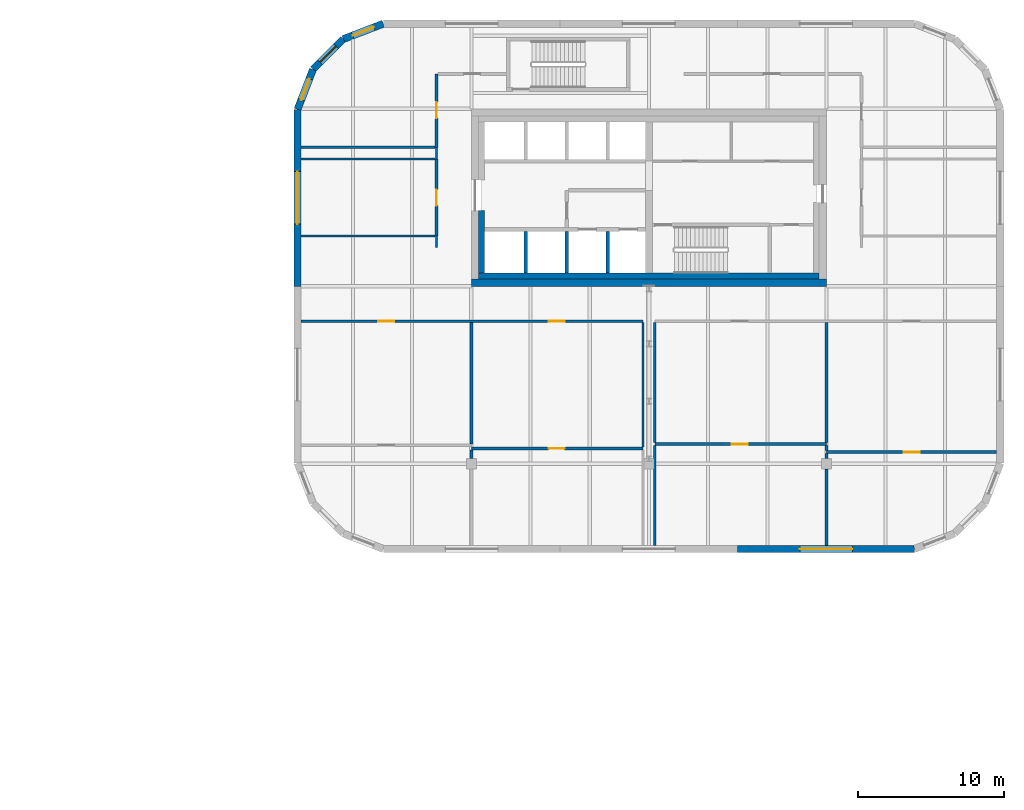
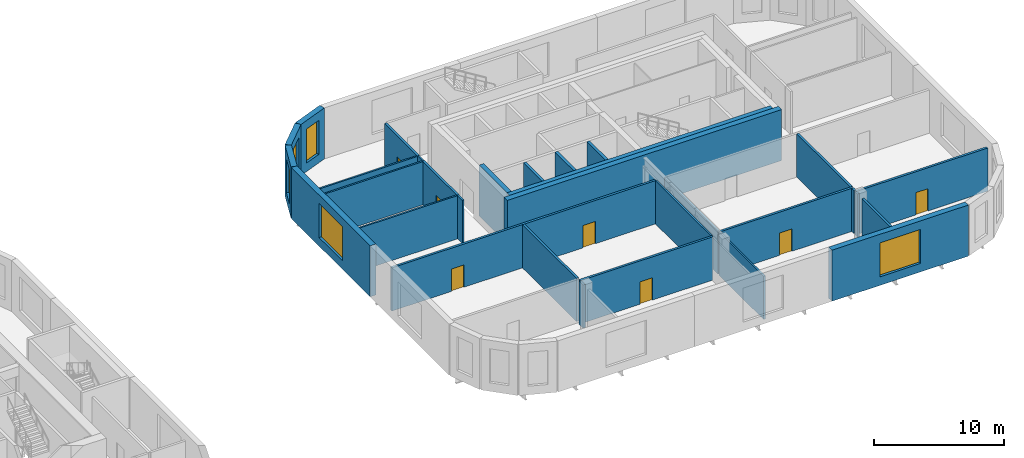
# One storey, part 14 of 21: 31 walls, 7 doors, 5 windows, 12 openings.
"""IFC4 building model written with IfcOpenShell, lengths in metres."""

from ifc_helpers import new_model, si_unit, direction, frame, frame_2d, origin, place, context, subcontext, project, spatial, polyline, rectangle, outline, extrude, faceted_brep, source, transform, mapped, material, layer, layer_set, type_object, element, fill, save


model = new_model("IFC4")

# Units and contexts
model_context = context("Model", 3, precision=1e-05, world=origin(), true_north=direction((0.0, 1.0)))
body_context = subcontext(model_context, "Body", "Model", "MODEL_VIEW")
ifc_project = project(units=[si_unit("LENGTHUNIT", "METRE"), si_unit("AREAUNIT", "SQUARE_METRE"), si_unit("VOLUMEUNIT", "CUBIC_METRE"), si_unit("PLANEANGLEUNIT", "RADIAN"), si_unit("MASSUNIT", "GRAM", prefix="KILO")], contexts=[model_context])

# Site, building, storey
site_placement = place(None, origin())
site = spatial("IfcSite", under=ifc_project, at=site_placement, CompositionType="ELEMENT")
building_placement = place(site_placement, origin())
building = spatial("IfcBuilding", under=site, at=building_placement, Name="Tessera Gate Towers", CompositionType="ELEMENT")
storey_placement = place(building_placement, frame((0.0, 0.0, 63.800048828125)))
storey = spatial("IfcBuildingStorey", under=building, at=storey_placement, Name="L15", CompositionType="ELEMENT", Elevation=63.800048828125)

# Walls
ifc_material_1 = material(Name="Gypsum board on steel studs, mineral wool", Category="steel")
ifc_layer_1 = layer(ifc_material_1, 0.14990234375)
ifc_layer_set_1 = layer_set([ifc_layer_1], Name="CHASE WALL 150")
wall_type_1 = type_object("IfcWallType", Name="CHASE WALL 150", PredefinedType="PARTITIONING", material=ifc_layer_set_1)
wall_1_placement = place(storey_placement, frame((110.199951171875, 18.800048828125, 0.0), z_axis=(0.0, 0.0, 1.0), x_axis=(0.0, 1.0, 0.0)))
element("IfcWall", 1, at=wall_1_placement, inside=storey, type_object=wall_type_1, Name="T2-L15-PW-003", PredefinedType="PARTITIONING", context=body_context, shape_type="SweptSolid", body=[
    extrude(rectangle(XDim=6.848876953125, YDim=0.14990234375, at=frame_2d((3.42431640625, 0.0))), origin(), (0.0, 0.0, 1.0), 4.06689453125),
])
wall_2_placement = place(storey_placement, frame((109.39990234375, 25.551025390625, 0.0), z_axis=(0.0, 0.0, 1.0), x_axis=(0.0, 1.0, 0.0)))
element("IfcWall", 2, at=wall_2_placement, inside=storey, type_object=wall_type_1, Name="T2-L15-PW-010", PredefinedType="PARTITIONING", context=body_context, shape_type="SweptSolid", body=[
    extrude(rectangle(XDim=8.548095703125, YDim=0.14990234375, at=frame_2d((4.27392578125, 0.0))), origin(), (0.0, 0.0, 1.0), 4.06689453125),
])
wall_3_placement = place(storey_placement, frame((110.199951171875, 25.85107421875, 0.0), z_axis=(0.0, 0.0, 1.0), x_axis=(0.0, 1.0, 0.0)))
element("IfcWall", 3, at=wall_3_placement, inside=storey, type_object=wall_type_1, Name="T2-L15-PW-014", PredefinedType="PARTITIONING", context=body_context, shape_type="SweptSolid", body=[
    extrude(rectangle(XDim=8.248046875, YDim=0.14990234375, at=frame_2d((4.1240234375, 0.0))), origin(), (0.0, 0.0, 1.0), 4.06689453125),
])
wall_4_placement = place(storey_placement, frame((95.199951171875, 39.25, 0.0), z_axis=(0.0, 0.0, 1.0), x_axis=(0.0, 1.0, 0.0)))
element("IfcWall", 4, at=wall_4_placement, inside=storey, type_object=wall_type_1, Name="T2-L15-PW-018", PredefinedType="PARTITIONING", context=body_context, shape_type="SweptSolid", body=[
    extrude(rectangle(XDim=0.799072265625, YDim=0.14990234375, at=frame_2d((0.3994140625, 0.0))), origin(), (0.0, 0.0, 1.0), 4.06689453125),
])
for number, where, z_axis, x_axis, name in (
    (5, (85.89990234375, 40.050048828125, 0.0), (0.0, 0.0, 1.0), (1.0, 0.0, 0.0), "T2-L15-PW-020"),
    (6, (85.89990234375, 45.35009765625, 0.0), (0.0, 0.0, 1.0), (1.0, 0.0, 0.0), "T2-L15-PW-024"),
):
    element("IfcWall", number, at=place(storey_placement, frame(where, z_axis=z_axis, x_axis=x_axis)), inside=storey, type_object=wall_type_1, Name=name, PredefinedType="PARTITIONING", context=body_context, shape_type="SweptSolid", body=[
        extrude(rectangle(XDim=9.19921875, YDim=0.14990234375, at=frame_2d((4.599609375, 0.0))), origin(), (0.0, 0.0, 1.0), 4.06689453125),
    ])
wall_5_placement = place(storey_placement, frame((95.199951171875, 45.35107421875, 0.0), z_axis=(0.0, 0.0, 1.0), x_axis=(0.0, 1.0, 0.0)))
element("IfcWall", 7, at=wall_5_placement, inside=storey, type_object=wall_type_1, Name="T2-L15-PW-025", PredefinedType="PARTITIONING", context=body_context, shape_type="SweptSolid", body=[
    extrude(rectangle(XDim=0.7978515625, YDim=0.14990234375, at=frame_2d((0.39892578125, 0.0))), origin(), (0.0, 0.0, 1.0), 4.06689453125),
])
wall_6_placement = place(storey_placement, frame((85.89990234375, 46.14990234375, 0.0), z_axis=(0.0, 0.0, 1.0), x_axis=(1.0, 0.0, 0.0)))
element("IfcWall", 8, at=wall_6_placement, inside=storey, type_object=wall_type_1, Name="T2-L15-PW-028", PredefinedType="PARTITIONING", context=body_context, shape_type="SweptSolid", body=[
    extrude(rectangle(XDim=9.19921875, YDim=0.14990234375, at=frame_2d((4.599609375, 0.0))), origin(), (0.0, 0.0, 1.0), 4.06689453125),
])
ifc_material_2 = material(Name="Concrete C40/50", Category="concrete")
ifc_layer_2 = layer(ifc_material_2, 0.25)
ifc_layer_set_2 = layer_set([ifc_layer_2], Name="CORE ENCLOSURE WALL 250")
wall_type_2 = type_object("IfcWallType", Name="CORE ENCLOSURE WALL 250", PredefinedType="SOLIDWALL", material=ifc_layer_set_2)
for number, where, z_axis, x_axis, name in (
    (9, (104.14990234375, 37.5, 0.0), (0.0, 0.0, 1.0), (0.0, 1.0, 0.0), "L15 shaft and stair enclosure wall"),
    (10, (101.324951171875, 37.5, 0.0), (0.0, 0.0, 1.0), (0.0, 1.0, 0.0), "L15 shaft and stair enclosure wall"),
    (11, (106.97509765625, 37.5, 0.0), (0.0, 0.0, 1.0), (0.0, 1.0, 0.0), "L15 shaft and stair enclosure wall"),
):
    element("IfcWall", number, at=place(storey_placement, frame(where, z_axis=z_axis, x_axis=x_axis)), inside=storey, type_object=wall_type_2, Name=name, PredefinedType="SOLIDWALL", context=body_context, shape_type="SweptSolid", body=[
        extrude(rectangle(XDim=2.875, YDim=0.25, at=frame_2d((1.4375, 0.0))), origin(), (0.0, 0.0, 1.0), 4.800048828125),
    ])
ifc_material_3 = material(Name="Concrete C50/60", Category="concrete")
ifc_layer_3 = layer(ifc_material_3, 0.5)
ifc_layer_set_3 = layer_set([ifc_layer_3], Name="CORE SHEAR WALL 500 C50/60")
wall_type_3 = type_object("IfcWallType", Name="CORE SHEAR WALL 500 C50/60", PredefinedType="SHEAR", material=ifc_layer_set_3)
wall_7_placement = place(storey_placement, frame((122.0, 36.85009765625, 0.0), z_axis=(0.0, 0.0, 1.0), x_axis=(-1.0, 0.0, 0.0)))
element("IfcWall", 12, at=wall_7_placement, inside=storey, type_object=wall_type_3, Name="Core wall S L15", PredefinedType="SHEAR", context=body_context, shape_type="SweptSolid", body=[
    extrude(rectangle(XDim=24.39990234375, YDim=0.5, at=frame_2d((12.199951171875, 0.0))), origin(), (0.0, 0.0, 1.0), 4.800048828125),
])
ifc_material_4 = material(Name="Concrete C50/60", Category="concrete")
ifc_layer_4 = layer(ifc_material_4, 0.39990234375)
ifc_layer_set_4 = layer_set([ifc_layer_4], Name="CORE WALL THICKENING 400")
wall_type_4 = type_object("IfcWallType", Name="CORE WALL THICKENING 400", PredefinedType="SOLIDWALL", material=ifc_layer_set_4)
wall_8_placement = place(storey_placement, frame((98.10009765625, 37.300048828125, 0.0), z_axis=(0.0, 0.0, 1.0), x_axis=(1.0, 0.0, 0.0)))
element("IfcWall", 13, at=wall_8_placement, inside=storey, type_object=wall_type_4, Name="Core wall thickening S L15", PredefinedType="SOLIDWALL", context=body_context, shape_type="SweptSolid", body=[
    extrude(rectangle(XDim=23.39990234375, YDim=0.39990234375, at=frame_2d((11.699951171875, 0.0))), origin(), (0.0, 0.0, 1.0), 4.800048828125),
])
wall_9_placement = place(storey_placement, frame((98.300048828125, 37.5, 0.0), z_axis=(0.0, 0.0, 1.0), x_axis=(0.0, 1.0, 0.0)))
element("IfcWall", 14, at=wall_9_placement, inside=storey, type_object=wall_type_4, Name="Core wall thickening W L15", PredefinedType="SOLIDWALL", context=body_context, shape_type="SweptSolid", body=[
    extrude(rectangle(XDim=4.300048828125, YDim=0.39990234375, at=frame_2d((2.14990234375, 0.0))), origin(), (0.0, 0.0, 1.0), 4.800048828125),
])
ifc_material_5 = material(Name="Concrete masonry unit", Category="masonry")
ifc_layer_5 = layer(ifc_material_5, 0.199951171875)
ifc_layer_set_5 = layer_set([ifc_layer_5], Name="PLANT WALL 200")
wall_type_5 = type_object("IfcWallType", Name="PLANT WALL 200", PredefinedType="PARTITIONING", material=ifc_layer_set_5)
wall_10_placement = place(storey_placement, frame((122.0, 18.800048828125, 0.0), z_axis=(0.0, 0.0, 1.0), x_axis=(0.0, 1.0, 0.0)))
element("IfcWall", 15, at=wall_10_placement, inside=storey, type_object=wall_type_5, Name="T2-L15-PW-004", PredefinedType="PARTITIONING", context=body_context, shape_type="SweptSolid", body=[
    extrude(rectangle(XDim=5.2490234375, YDim=0.199951171875, at=frame_2d((2.62451171875, 0.0))), origin(), (0.0, 0.0, 1.0), 4.06689453125),
])
wall_11_placement = place(storey_placement, frame((97.60009765625, 24.7509765625, 0.0), z_axis=(0.0, 0.0, 1.0), x_axis=(0.0, 1.0, 0.0)))
element("IfcWall", 16, at=wall_11_placement, inside=storey, type_object=wall_type_5, Name="T2-L15-PW-005", PredefinedType="PARTITIONING", context=body_context, shape_type="SweptSolid", body=[
    extrude(rectangle(XDim=0.59814453125, YDim=0.199951171875, at=frame_2d((0.299072265625, 0.0))), origin(), (0.0, 0.0, 1.0), 4.06689453125),
])
wall_12_placement = place(storey_placement, frame((122.0, 24.7509765625, 0.0), z_axis=(0.0, 0.0, 1.0), x_axis=(0.0, 1.0, 0.0)))
element("IfcWall", 17, at=wall_12_placement, inside=storey, type_object=wall_type_5, Name="T2-L15-PW-006", PredefinedType="PARTITIONING", context=body_context, shape_type="SweptSolid", body=[
    extrude(rectangle(XDim=0.34814453125, YDim=0.199951171875, at=frame_2d((0.174072265625, 0.0))), origin(), (0.0, 0.0, 1.0), 4.06689453125),
])

# Wall, opening, door
wall_13_placement = place(storey_placement, frame((133.699951171875, 25.199951171875, 0.0), z_axis=(0.0, 0.0, 1.0), x_axis=(-1.0, 0.0, 0.0)))
wall_13 = element("IfcWall", 18, at=wall_13_placement, inside=storey, type_object=wall_type_5, Name="T2-L15-PW-007", PredefinedType="PARTITIONING", context=body_context, shape_type="SweptSolid", body=[
    extrude(rectangle(XDim=11.699951171875, YDim=0.199951171875, at=frame_2d((5.85009765625, 0.0))), origin(), (0.0, 0.0, 1.0), 4.06689453125),
])
shared_shape_1 = source(origin(), body_context, "Body", "SweptSolid", [
    extrude(rectangle(XDim=1.10009765625, YDim=2.10009765625, at=frame_2d((0.550048828125, 1.050048828125))), frame((0.0, 0.10986328125, 0.0), z_axis=(0.0, -1.0, 0.0), x_axis=(1.0, 0.0, 0.0)), (0.0, 0.0, 1.0), 0.219970703125),
])
opening_1_placement = place(wall_13_placement, frame((5.300048828125, 0.0, 0.0)))
opening_1 = element("IfcOpeningElement", 19, at=opening_1_placement, cuts=wall_13, Name="Opening D5110FD90-B20-09", PredefinedType="OPENING", context=body_context, shape_type="MappedRepresentation", body=[
    mapped(shared_shape_1, transform((0.0, 0.0, 0.0), scale=1.0)),
])
ifc_material_6 = material(Name="Timber door leaf in steel frame", Category="steel")
door_type = type_object("IfcDoorType", Name="PLANT DOOR 1100 FD90", OperationType="NOTDEFINED", PredefinedType="DOOR", material=ifc_material_6)
shared_shape_2 = source(origin(), body_context, "Body", "SweptSolid", [
    extrude(rectangle(XDim=1.10009765625, YDim=2.10009765625, at=frame_2d((0.550048828125, 1.050048828125))), frame((0.0, 0.02490234375, 0.0), z_axis=(0.0, -1.0, 0.0), x_axis=(1.0, 0.0, 0.0)), (0.0, 0.0, 1.0), 0.050048828125),
])
door_1_placement = place(opening_1_placement, origin())
door_1 = element("IfcDoor", 20, at=door_1_placement, inside=storey, type_object=door_type, Name="T2-L15-PD-009", OperationType="SINGLE_SWING_RIGHT", OverallHeight=2.10009765625, OverallWidth=1.10009765625, PredefinedType="DOOR", context=body_context, shape_type="MappedRepresentation", body=[
    mapped(shared_shape_2, transform((0.0, 0.0, 0.0), scale=1.0)),
])
fill(opening_1, door_1)

# Wall
wall_14_placement = place(storey_placement, frame((122.0, 25.301025390625, 0.0), z_axis=(0.0, 0.0, 1.0), x_axis=(0.0, 1.0, 0.0)))
element("IfcWall", 21, at=wall_14_placement, inside=storey, type_object=wall_type_5, Name="T2-L15-PW-008", PredefinedType="PARTITIONING", context=body_context, shape_type="SweptSolid", body=[
    extrude(rectangle(XDim=0.347900390625, YDim=0.199951171875, at=frame_2d((0.173828125, 0.0))), origin(), (0.0, 0.0, 1.0), 4.06689453125),
])

# Wall, opening, door
wall_15_placement = place(storey_placement, frame((109.39990234375, 25.449951171875, 0.0), z_axis=(0.0, 0.0, 1.0), x_axis=(-1.0, 0.0, 0.0)))
wall_15 = element("IfcWall", 22, at=wall_15_placement, inside=storey, type_object=wall_type_5, Name="T2-L15-PW-009", PredefinedType="PARTITIONING", context=body_context, shape_type="SweptSolid", body=[
    extrude(rectangle(XDim=11.7998046875, YDim=0.199951171875, at=frame_2d((5.89990234375, 0.0))), origin(), (0.0, 0.0, 1.0), 4.06689453125),
])
opening_2_placement = place(wall_15_placement, frame((5.39990234375, 0.0, 0.0)))
opening_2 = element("IfcOpeningElement", 23, at=opening_2_placement, cuts=wall_15, Name="Opening D5110FD90-B20-13", PredefinedType="OPENING", context=body_context, shape_type="MappedRepresentation", body=[
    mapped(shared_shape_1, transform((0.0, 0.0, 0.0), scale=1.0)),
])
door_2_placement = place(opening_2_placement, origin())
door_2 = element("IfcDoor", 24, at=door_2_placement, inside=storey, type_object=door_type, Name="T2-L15-PD-013", OperationType="SINGLE_SWING_RIGHT", OverallHeight=2.10009765625, OverallWidth=1.10009765625, PredefinedType="DOOR", context=body_context, shape_type="MappedRepresentation", body=[
    mapped(shared_shape_2, transform((0.0, 0.0, 0.0), scale=1.0)),
])
fill(opening_2, door_2)

wall_16_placement = place(storey_placement, frame((122.0, 25.75, 0.0), z_axis=(0.0, 0.0, 1.0), x_axis=(-1.0, 0.0, 0.0)))
wall_16 = element("IfcWall", 25, at=wall_16_placement, inside=storey, type_object=wall_type_5, Name="T2-L15-PW-012", PredefinedType="PARTITIONING", context=body_context, shape_type="SweptSolid", body=[
    extrude(rectangle(XDim=11.800048828125, YDim=0.199951171875, at=frame_2d((5.89990234375, 0.0))), origin(), (0.0, 0.0, 1.0), 4.06689453125),
])
opening_3_placement = place(wall_16_placement, frame((5.39990234375, 0.0, 0.0)))
opening_3 = element("IfcOpeningElement", 26, at=opening_3_placement, cuts=wall_16, Name="Opening D5110FD90-B20-11", PredefinedType="OPENING", context=body_context, shape_type="MappedRepresentation", body=[
    mapped(shared_shape_1, transform((0.0, 0.0, 0.0), scale=1.0)),
])
door_3_placement = place(opening_3_placement, origin())
door_3 = element("IfcDoor", 27, at=door_3_placement, inside=storey, type_object=door_type, Name="T2-L15-PD-011", OperationType="SINGLE_SWING_RIGHT", OverallHeight=2.10009765625, OverallWidth=1.10009765625, PredefinedType="DOOR", context=body_context, shape_type="MappedRepresentation", body=[
    mapped(shared_shape_2, transform((0.0, 0.0, 0.0), scale=1.0)),
])
fill(opening_3, door_3)

# Walls
wall_17_placement = place(storey_placement, frame((97.60009765625, 25.77587890625, 0.0), z_axis=(0.0, 0.0, 1.0), x_axis=(0.0, 1.0, 0.0)))
element("IfcWall", 28, at=wall_17_placement, inside=storey, type_object=wall_type_5, Name="T2-L15-PW-013", PredefinedType="PARTITIONING", context=body_context, shape_type="SweptSolid", body=[
    extrude(rectangle(XDim=8.3232421875, YDim=0.199951171875, at=frame_2d((4.16162109375, 0.0))), origin(), (0.0, 0.0, 1.0), 4.06689453125),
])
wall_18_placement = place(storey_placement, frame((122.0, 25.85107421875, 0.0), z_axis=(0.0, 0.0, 1.0), x_axis=(0.0, 1.0, 0.0)))
element("IfcWall", 29, at=wall_18_placement, inside=storey, type_object=wall_type_5, Name="T2-L15-PW-015", PredefinedType="PARTITIONING", context=body_context, shape_type="SweptSolid", body=[
    extrude(rectangle(XDim=8.248046875, YDim=0.199951171875, at=frame_2d((4.1240234375, 0.0))), origin(), (0.0, 0.0, 1.0), 4.06689453125),
])

# Wall, openings, doors
wall_19_placement = place(storey_placement, frame((109.39990234375, 34.199951171875, 0.0), z_axis=(0.0, 0.0, 1.0), x_axis=(-1.0, 0.0, 0.0)))
wall_19 = element("IfcWall", 30, at=wall_19_placement, inside=storey, type_object=wall_type_5, Name="T2-L15-PW-016", PredefinedType="PARTITIONING", context=body_context, shape_type="SweptSolid", body=[
    extrude(rectangle(XDim=23.5, YDim=0.199951171875, at=frame_2d((11.75, 0.0))), origin(), (0.0, 0.0, 1.0), 4.06689453125),
])
opening_4_placement = place(wall_19_placement, frame((17.10009765625, 0.0, 0.0)))
opening_4 = element("IfcOpeningElement", 31, at=opening_4_placement, cuts=wall_19, Name="Opening D5110FD90-B20-06", PredefinedType="OPENING", context=body_context, shape_type="MappedRepresentation", body=[
    mapped(shared_shape_1, transform((0.0, 0.0, 0.0), scale=1.0)),
])
opening_5_placement = place(wall_19_placement, frame((5.39990234375, 0.0, 0.0)))
opening_5 = element("IfcOpeningElement", 32, at=opening_5_placement, cuts=wall_19, Name="Opening D5110FD90-B20-12", PredefinedType="OPENING", context=body_context, shape_type="MappedRepresentation", body=[
    mapped(shared_shape_1, transform((0.0, 0.0, 0.0), scale=1.0)),
])
door_4_placement = place(opening_4_placement, origin())
door_4 = element("IfcDoor", 33, at=door_4_placement, inside=storey, type_object=door_type, Name="T2-L15-PD-006", OperationType="SINGLE_SWING_RIGHT", OverallHeight=2.10009765625, OverallWidth=1.10009765625, PredefinedType="DOOR", context=body_context, shape_type="MappedRepresentation", body=[
    mapped(shared_shape_2, transform((0.0, 0.0, 0.0), scale=1.0)),
])
fill(opening_4, door_4)
door_5_placement = place(opening_5_placement, origin())
door_5 = element("IfcDoor", 34, at=door_5_placement, inside=storey, type_object=door_type, Name="T2-L15-PD-012", OperationType="SINGLE_SWING_RIGHT", OverallHeight=2.10009765625, OverallWidth=1.10009765625, PredefinedType="DOOR", context=body_context, shape_type="MappedRepresentation", body=[
    mapped(shared_shape_2, transform((0.0, 0.0, 0.0), scale=1.0)),
])
fill(opening_5, door_5)

# Wall, opening, door
wall_20_placement = place(storey_placement, frame((95.199951171875, 40.050048828125, 0.0), z_axis=(0.0, 0.0, 1.0), x_axis=(0.0, 1.0, 0.0)))
wall_20 = element("IfcWall", 35, at=wall_20_placement, inside=storey, type_object=wall_type_5, Name="T2-L15-PW-021", PredefinedType="PARTITIONING", context=body_context, shape_type="SweptSolid", body=[
    extrude(rectangle(XDim=5.300048828125, YDim=0.199951171875, at=frame_2d((2.64990234375, 0.0))), origin(), (0.0, 0.0, 1.0), 4.06689453125),
])
opening_6_placement = place(wall_20_placement, frame((2.10009765625, 0.0, 0.0)))
opening_6 = element("IfcOpeningElement", 36, at=opening_6_placement, cuts=wall_20, Name="Opening D5110FD90-B20-04", PredefinedType="OPENING", context=body_context, shape_type="MappedRepresentation", body=[
    mapped(shared_shape_1, transform((0.0, 0.0, 0.0), scale=1.0)),
])
door_6_placement = place(opening_6_placement, origin())
door_6 = element("IfcDoor", 37, at=door_6_placement, inside=storey, type_object=door_type, Name="T2-L15-PD-004", OperationType="SINGLE_SWING_LEFT", OverallHeight=2.10009765625, OverallWidth=1.10009765625, PredefinedType="DOOR", context=body_context, shape_type="MappedRepresentation", body=[
    mapped(shared_shape_2, transform((0.0, 0.0, 0.0), scale=1.0)),
])
fill(opening_6, door_6)

wall_21_placement = place(storey_placement, frame((95.199951171875, 46.14990234375, 0.0), z_axis=(0.0, 0.0, 1.0), x_axis=(0.0, 1.0, 0.0)))
wall_21 = element("IfcWall", 38, at=wall_21_placement, inside=storey, type_object=wall_type_5, Name="T2-L15-PW-029", PredefinedType="PARTITIONING", context=body_context, shape_type="SweptSolid", body=[
    extrude(rectangle(XDim=5.050048828125, YDim=0.199951171875, at=frame_2d((2.52490234375, 0.0))), origin(), (0.0, 0.0, 1.0), 4.06689453125),
])
opening_7_placement = place(wall_21_placement, frame((2.0, 0.0, 0.0)))
opening_7 = element("IfcOpeningElement", 39, at=opening_7_placement, cuts=wall_21, Name="Opening D5110FD90-B20-03", PredefinedType="OPENING", context=body_context, shape_type="MappedRepresentation", body=[
    mapped(shared_shape_1, transform((0.0, 0.0, 0.0), scale=1.0)),
])
door_7_placement = place(opening_7_placement, origin())
door_7 = element("IfcDoor", 40, at=door_7_placement, inside=storey, type_object=door_type, Name="T2-L15-PD-003", OperationType="SINGLE_SWING_LEFT", OverallHeight=2.10009765625, OverallWidth=1.10009765625, PredefinedType="DOOR", context=body_context, shape_type="MappedRepresentation", body=[
    mapped(shared_shape_2, transform((0.0, 0.0, 0.0), scale=1.0)),
])
fill(opening_7, door_7)

# Wall, opening, window
ifc_material_7 = material(Name="Precast concrete C60/75 white", Category="concrete")
ifc_layer_6 = layer(ifc_material_7, 0.5)
ifc_layer_set_6 = layer_set([ifc_layer_6], Name="RB1 ring band panel")
wall_type_6 = type_object("IfcWallType", Name="RB1 ring band panel", PredefinedType="SOLIDWALL", material=ifc_layer_set_6)
shared_shape_3 = source(origin(), body_context, "Body", "Brep", [
    faceted_brep([(0.0, -0.25, 0.0), (12.153564453125, -0.25, 0.0), (12.153564453125, -0.25, 4.800048828125), (0.0, -0.25, 4.800048828125), (0.046630859375, 0.25, 4.800048828125), (12.153564453125, 0.25, 4.800048828125), (12.153564453125, 0.25, 0.0), (0.046630859375, 0.25, 0.0), (0.0, 0.0, 0.0), (0.0, 0.0, 4.800048828125)], [[[0, 1, 2, 3]], [[4, 5, 6, 7]], [[7, 6, 1, 0, 8]], [[5, 4, 9, 3, 2]], [[8, 0, 3, 9]], [[7, 8, 9, 4]], [[1, 6, 5, 2]]]),
])
wall_22_placement = place(storey_placement, frame((85.64990234375, 48.75341796875, 0.0), z_axis=(0.0, 0.0, 1.0), x_axis=(0.0, -1.0, 0.0)))
wall_22 = element("IfcWall", 41, at=wall_22_placement, inside=storey, type_object=wall_type_6, Name="Ring band panel T2 RB1-0018", PredefinedType="SOLIDWALL", context=body_context, shape_type="MappedRepresentation", body=[
    mapped(shared_shape_3, transform((0.0, 0.0, 0.0), scale=1.0)),
])
shared_shape_4 = source(origin(), body_context, "Body", "SweptSolid", [
    extrude(outline(polyline([(4.276611328125, 0.800048828125), (7.876708984375, 0.800048828125), (7.876708984375, 4.0), (4.276611328125, 4.0), (4.276611328125, 0.800048828125)])), frame((0.0, 0.260009765625, 0.0), z_axis=(0.0, -1.0, 0.0), x_axis=(1.0, 0.0, 0.0)), (0.0, 0.0, 1.0), 0.52001953125),
])
opening_8_placement = place(wall_22_placement, origin())
opening_8 = element("IfcOpeningElement", 42, at=opening_8_placement, cuts=wall_22, Name="Opening T2-WN-LV1-0018", PredefinedType="OPENING", context=body_context, shape_type="MappedRepresentation", body=[
    mapped(shared_shape_4, transform((0.0, 0.0, 0.0), scale=1.0)),
])
ifc_material_8 = material(Name="Aluminium louvre", Category="aluminium")
ifc_layer_7 = layer(ifc_material_8, 0.06005859375)
ifc_layer_set_7 = layer_set([ifc_layer_7], Name="LV1 louvre")
window_type = type_object("IfcWindowType", Name="LV1 louvre", PartitioningType="USERDEFINED", PredefinedType="WINDOW", material=ifc_layer_set_7)
shared_shape_5 = source(origin(), body_context, "Body", "SweptSolid", [
    extrude(outline(polyline([(4.276611328125, 0.800048828125), (7.876708984375, 0.800048828125), (7.876708984375, 4.0), (4.276611328125, 4.0), (4.276611328125, 0.800048828125)])), frame((0.0, 0.030029296875, 0.0), z_axis=(0.0, -1.0, 0.0), x_axis=(1.0, 0.0, 0.0)), (0.0, 0.0, 1.0), 0.06005859375),
])
window_1_placement = place(opening_8_placement, origin())
window_1 = element("IfcWindow", 43, at=window_1_placement, inside=storey, type_object=window_type, Name="Louvre T2 WN-LV1-0018", OverallHeight=3.199951171875, OverallWidth=3.60009765625, PartitioningType="USERDEFINED", PredefinedType="WINDOW", context=body_context, shape_type="MappedRepresentation", body=[
    mapped(shared_shape_5, transform((0.0, 0.0, 0.0), scale=1.0)),
])
fill(opening_8, window_1)

shared_shape_6 = source(origin(), body_context, "Body", "Brep", [
    faceted_brep([(0.0, -0.25, 0.0), (12.153564453125, -0.25, 0.0), (12.153564453125, -0.25, 4.800048828125), (0.0, -0.25, 4.800048828125), (0.0, 0.25, 4.800048828125), (12.10693359375, 0.25, 4.800048828125), (12.10693359375, 0.25, 0.0), (0.0, 0.25, 0.0), (12.153564453125, -0.00048828125, 0.0), (12.153564453125, -0.00048828125, 4.800048828125)], [[[0, 1, 2, 3]], [[4, 5, 6, 7]], [[7, 6, 8, 1, 0]], [[9, 2, 1, 8]], [[5, 4, 3, 2, 9]], [[4, 7, 0, 3]], [[8, 6, 5, 9]]]),
])
wall_23_placement = place(storey_placement, frame((115.89990234375, 18.550048828125, 0.0), z_axis=(0.0, 0.0, 1.0), x_axis=(1.0, 0.0, 0.0)))
wall_23 = element("IfcWall", 44, at=wall_23_placement, inside=storey, type_object=wall_type_6, Name="Ring band panel T2 RB1-0003", PredefinedType="SOLIDWALL", context=body_context, shape_type="MappedRepresentation", body=[
    mapped(shared_shape_6, transform((0.0, 0.0, 0.0), scale=1.0)),
])
opening_9_placement = place(wall_23_placement, origin())
opening_9 = element("IfcOpeningElement", 45, at=opening_9_placement, cuts=wall_23, Name="Opening T2-WN-LV1-0003", PredefinedType="OPENING", context=body_context, shape_type="MappedRepresentation", body=[
    mapped(shared_shape_4, transform((0.0, 0.0, 0.0), scale=1.0)),
])
window_2_placement = place(opening_9_placement, origin())
window_2 = element("IfcWindow", 46, at=window_2_placement, inside=storey, type_object=window_type, Name="Louvre T2 WN-LV1-0003", OverallHeight=3.199951171875, OverallWidth=3.60009765625, PartitioningType="USERDEFINED", PredefinedType="WINDOW", context=body_context, shape_type="MappedRepresentation", body=[
    mapped(shared_shape_5, transform((0.0, 0.0, 0.0), scale=1.0)),
])
fill(opening_9, window_2)

shared_shape_7 = source(origin(), body_context, "Body", "Brep", [
    faceted_brep([(0.0, -0.25, 0.0), (2.944091796875, -0.25, 0.0), (2.944091796875, -0.25, 4.800048828125), (0.0, -0.25, 4.800048828125), (0.052978515625, 0.25, 4.800048828125), (2.89111328125, 0.25, 4.800048828125), (2.89111328125, 0.25, 0.0), (0.052978515625, 0.25, 0.0), (2.944091796875, 0.000244140625, 0.0), (0.0, 0.0, 0.0), (2.944091796875, 0.000244140625, 4.800048828125), (0.0, 0.0, 4.800048828125)], [[[0, 1, 2, 3]], [[4, 5, 6, 7]], [[7, 6, 8, 1, 0, 9]], [[10, 2, 1, 8]], [[5, 4, 11, 3, 2, 10]], [[9, 0, 3, 11]], [[7, 9, 11, 4]], [[8, 6, 5, 10]]]),
])
wall_24_placement = place(storey_placement, frame((88.793701171875, 53.588134765625, 0.0), z_axis=(0.0, 0.0, 1.0), x_axis=(-0.707106781187, -0.707106781187, 0.0)))
wall_24 = element("IfcWall", 47, at=wall_24_placement, inside=storey, type_object=wall_type_6, Name="Ring band panel T2 RB1-0016", PredefinedType="SOLIDWALL", context=body_context, shape_type="MappedRepresentation", body=[
    mapped(shared_shape_7, transform((0.0, 0.0, 0.0), scale=1.0)),
])
shared_shape_8 = source(origin(), body_context, "Body", "SweptSolid", [
    extrude(outline(polyline([(0.699951171875, 0.800048828125), (2.244140625, 0.800048828125), (2.244140625, 4.0), (0.699951171875, 4.0), (0.699951171875, 0.800048828125)])), frame((0.0, 0.260009765625, 0.0), z_axis=(0.0, -1.0, 0.0), x_axis=(1.0, 0.0, 0.0)), (0.0, 0.0, 1.0), 0.52001953125),
])
opening_10_placement = place(wall_24_placement, origin())
opening_10 = element("IfcOpeningElement", 48, at=opening_10_placement, cuts=wall_24, Name="Opening T2-WN-LV1-0016", PredefinedType="OPENING", context=body_context, shape_type="MappedRepresentation", body=[
    mapped(shared_shape_8, transform((0.0, 0.0, 0.0), scale=1.0)),
])
shared_shape_9 = source(origin(), body_context, "Body", "SweptSolid", [
    extrude(outline(polyline([(0.699951171875, 0.800048828125), (2.244140625, 0.800048828125), (2.244140625, 4.0), (0.699951171875, 4.0), (0.699951171875, 0.800048828125)])), frame((0.0, 0.030029296875, 0.0), z_axis=(0.0, -1.0, 0.0), x_axis=(1.0, 0.0, 0.0)), (0.0, 0.0, 1.0), 0.06005859375),
])
window_3_placement = place(opening_10_placement, origin())
window_3 = element("IfcWindow", 49, at=window_3_placement, inside=storey, type_object=window_type, Name="Louvre T2 WN-LV1-0016", OverallHeight=3.199951171875, OverallWidth=1.544189453125, PartitioningType="USERDEFINED", PredefinedType="WINDOW", context=body_context, shape_type="MappedRepresentation", body=[
    mapped(shared_shape_9, transform((0.0, 0.0, 0.0), scale=1.0)),
])
fill(opening_10, window_3)

shared_shape_10 = source(origin(), body_context, "Body", "Brep", [
    faceted_brep([(0.0, -0.25, 0.0), (2.950439453125, -0.25, 0.0), (2.950439453125, -0.25, 4.800048828125), (0.0, -0.25, 4.800048828125), (0.052978515625, 0.25, 4.800048828125), (2.904052734375, 0.25, 4.800048828125), (2.904052734375, 0.25, 0.0), (0.052978515625, 0.25, 0.0), (2.950439453125, 0.00048828125, 0.0), (0.0, 0.0, 0.0), (2.950439453125, 0.00048828125, 4.800048828125), (0.0, 0.0, 4.800048828125)], [[[0, 1, 2, 3]], [[4, 5, 6, 7]], [[7, 6, 8, 1, 0, 9]], [[10, 2, 1, 8]], [[5, 4, 11, 3, 2, 10]], [[9, 0, 3, 11]], [[7, 9, 11, 4]], [[8, 6, 5, 10]]]),
])
wall_25_placement = place(storey_placement, frame((86.7119140625, 51.50634765625, 0.0), z_axis=(0.0, 0.0, 1.0), x_axis=(-0.359849431015, -0.933010389544, 0.0)))
wall_25 = element("IfcWall", 50, at=wall_25_placement, inside=storey, type_object=wall_type_6, Name="Ring band panel T2 RB1-0017", PredefinedType="SOLIDWALL", context=body_context, shape_type="MappedRepresentation", body=[
    mapped(shared_shape_10, transform((0.0, 0.0, 0.0), scale=1.0)),
])
shared_shape_11 = source(origin(), body_context, "Body", "SweptSolid", [
    extrude(outline(polyline([(0.699951171875, 0.800048828125), (2.25048828125, 0.800048828125), (2.25048828125, 4.0), (0.699951171875, 4.0), (0.699951171875, 0.800048828125)])), frame((0.0, 0.260009765625, 0.0), z_axis=(0.0, -1.0, 0.0), x_axis=(1.0, 0.0, 0.0)), (0.0, 0.0, 1.0), 0.52001953125),
])
opening_11_placement = place(wall_25_placement, origin())
opening_11 = element("IfcOpeningElement", 51, at=opening_11_placement, cuts=wall_25, Name="Opening T2-WN-LV1-0017", PredefinedType="OPENING", context=body_context, shape_type="MappedRepresentation", body=[
    mapped(shared_shape_11, transform((0.0, 0.0, 0.0), scale=1.0)),
])
shared_shape_12 = source(origin(), body_context, "Body", "SweptSolid", [
    extrude(outline(polyline([(0.699951171875, 0.800048828125), (2.25048828125, 0.800048828125), (2.25048828125, 4.0), (0.699951171875, 4.0), (0.699951171875, 0.800048828125)])), frame((0.0, 0.030029296875, 0.0), z_axis=(0.0, -1.0, 0.0), x_axis=(1.0, 0.0, 0.0)), (0.0, 0.0, 1.0), 0.06005859375),
])
window_4_placement = place(opening_11_placement, origin())
window_4 = element("IfcWindow", 52, at=window_4_placement, inside=storey, type_object=window_type, Name="Louvre T2 WN-LV1-0017", OverallHeight=3.199951171875, OverallWidth=1.550537109375, PartitioningType="USERDEFINED", PredefinedType="WINDOW", context=body_context, shape_type="MappedRepresentation", body=[
    mapped(shared_shape_12, transform((0.0, 0.0, 0.0), scale=1.0)),
])
fill(opening_11, window_4)

shared_shape_13 = source(origin(), body_context, "Body", "Brep", [
    faceted_brep([(0.0, -0.25, 0.0), (2.950439453125, -0.25, 0.0), (2.950439453125, -0.25, 4.800048828125), (0.0, -0.25, 4.800048828125), (0.046630859375, 0.25, 4.800048828125), (2.897705078125, 0.25, 4.800048828125), (2.897705078125, 0.25, 0.0), (0.046630859375, 0.25, 0.0), (2.950439453125, 0.00048828125, 0.0), (0.0, 0.0, 0.0), (2.950439453125, 0.00048828125, 4.800048828125), (0.0, 0.0, 4.800048828125)], [[[0, 1, 2, 3]], [[4, 5, 6, 7]], [[7, 6, 8, 1, 0, 9]], [[10, 2, 1, 8]], [[5, 4, 11, 3, 2, 10]], [[9, 0, 3, 11]], [[7, 9, 11, 4]], [[8, 6, 5, 10]]]),
])
wall_26_placement = place(storey_placement, frame((91.546630859375, 54.64990234375, 0.0), z_axis=(0.0, 0.0, 1.0), x_axis=(-0.933010389544, -0.359849431015, 0.0)))
wall_26 = element("IfcWall", 53, at=wall_26_placement, inside=storey, type_object=wall_type_6, Name="Ring band panel T2 RB1-0015", PredefinedType="SOLIDWALL", context=body_context, shape_type="MappedRepresentation", body=[
    mapped(shared_shape_13, transform((0.0, 0.0, 0.0), scale=1.0)),
])
opening_12_placement = place(wall_26_placement, origin())
opening_12 = element("IfcOpeningElement", 54, at=opening_12_placement, cuts=wall_26, Name="Opening T2-WN-LV1-0015", PredefinedType="OPENING", context=body_context, shape_type="MappedRepresentation", body=[
    mapped(shared_shape_11, transform((0.0, 0.0, 0.0), scale=1.0)),
])
window_5_placement = place(opening_12_placement, origin())
window_5 = element("IfcWindow", 55, at=window_5_placement, inside=storey, type_object=window_type, Name="Louvre T2 WN-LV1-0015", OverallHeight=3.199951171875, OverallWidth=1.550537109375, PartitioningType="USERDEFINED", PredefinedType="WINDOW", context=body_context, shape_type="MappedRepresentation", body=[
    mapped(shared_shape_12, transform((0.0, 0.0, 0.0), scale=1.0)),
])
fill(opening_12, window_5)

save(model, "model.ifc")
